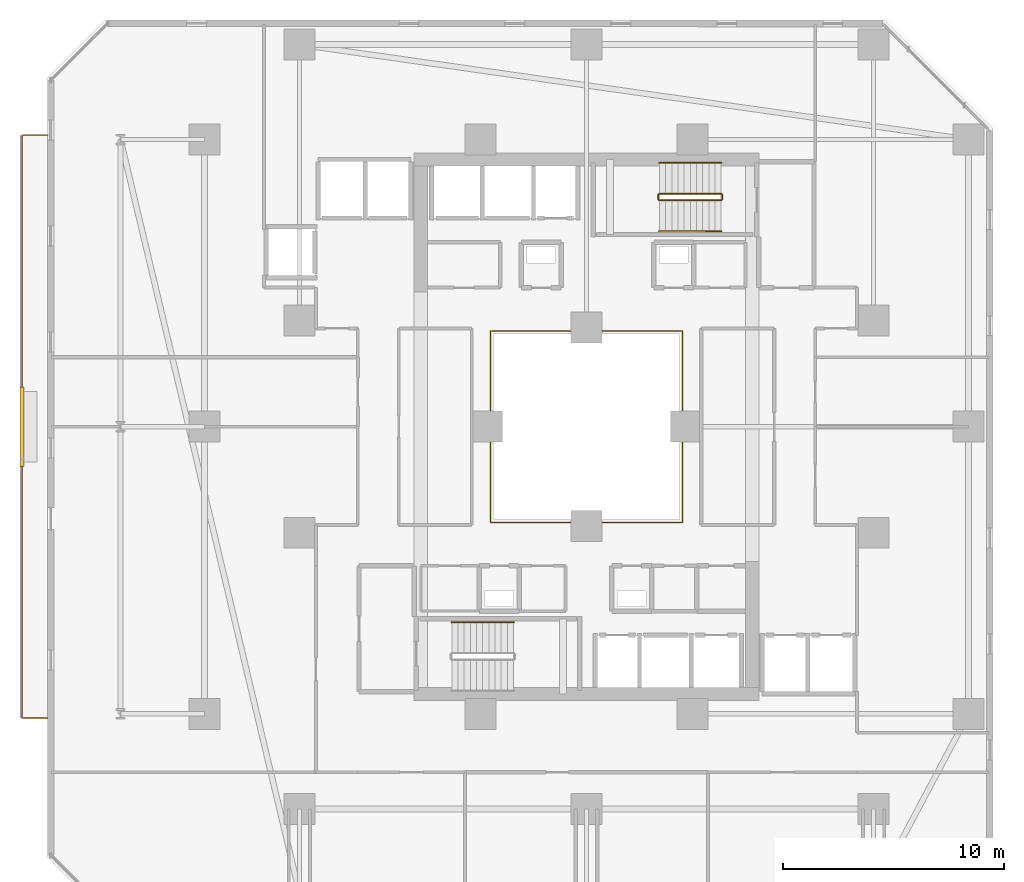
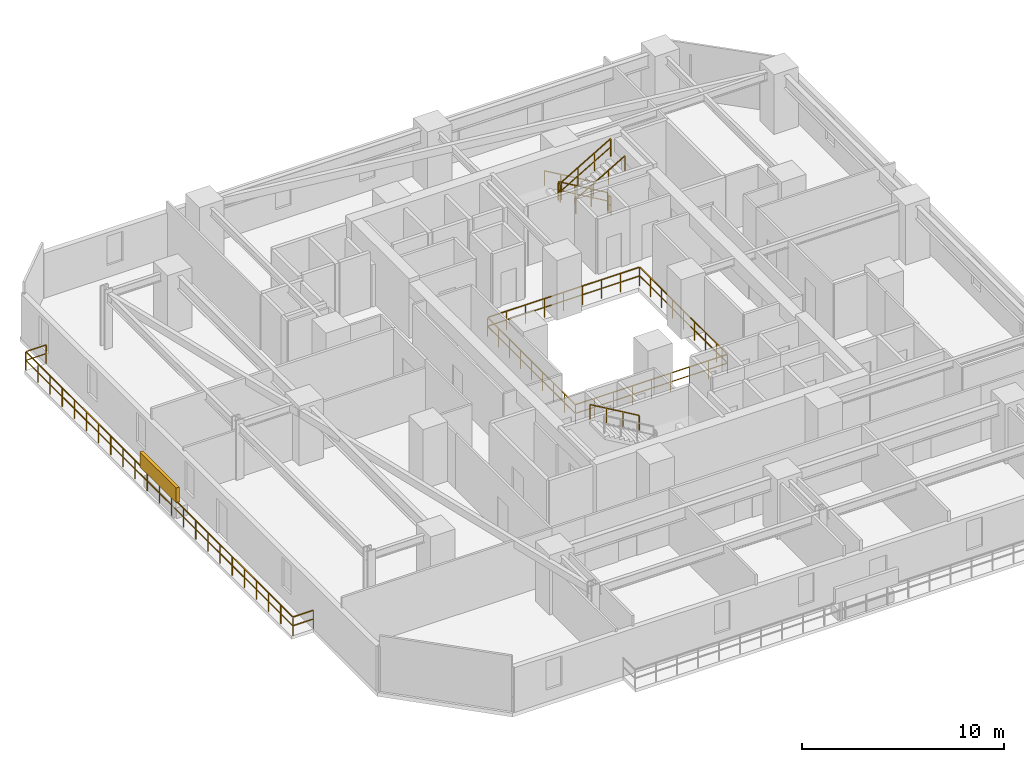
# One storey, part 30 of 33: 9 railings, 1 shading device.
"""IFC4 building model written with IfcOpenShell, lengths in metres."""

from ifc_helpers import new_model, si_unit, direction, frame, origin, origin_2d, place, context, subcontext, project, spatial, rectangle, extrude, material, type_object, element, save


model = new_model("IFC4")

# Units and contexts
model_context = context("Model", 3, precision=1e-05, world=origin(), true_north=direction((0.0, 1.0)))
body_context = subcontext(model_context, "Body", "Model", "MODEL_VIEW")
ifc_project = project(units=[si_unit("LENGTHUNIT", "METRE"), si_unit("AREAUNIT", "SQUARE_METRE"), si_unit("VOLUMEUNIT", "CUBIC_METRE"), si_unit("PLANEANGLEUNIT", "RADIAN"), si_unit("MASSUNIT", "GRAM", prefix="KILO")], contexts=[model_context])

# Site, building, storey
site_placement = place(None, origin())
site = spatial("IfcSite", under=ifc_project, at=site_placement, CompositionType="ELEMENT")
building_placement = place(site_placement, origin())
building = spatial("IfcBuilding", under=site, at=building_placement, Name="Thornwick Lancets Civic Towers", CompositionType="ELEMENT")
storey_placement = place(building_placement, frame((0.0, 0.0, 42.300048828125)))
storey = spatial("IfcBuildingStorey", under=building, at=storey_placement, Name="L10", CompositionType="ELEMENT", Elevation=42.300048828125)

# Railings
ifc_material_1 = material(Name="Laminated glass and bronze steel S355", Category="steel")
railing_type_1 = type_object("IfcRailingType", Name="RAIL_ATRIUM_GUARD", PredefinedType="BALUSTRADE", material=ifc_material_1)
railing_1_placement = place(storey_placement, frame((21.159912109375, 22.659912109375, 0.0)))
element("IfcRailing", 1, at=railing_1_placement, inside=storey, type_object=railing_type_1, Name="L10 Tower A Central Atrium Guard Balustrade", PredefinedType="BALUSTRADE", context=body_context, shape_type="SweptSolid", body=[
    extrude(rectangle(XDim=0.048095703125, YDim=0.048095703125, at=origin_2d()), frame((0.0, 0.0, 1.1259765625), z_axis=(1.0, 0.0, 0.0), x_axis=(0.0, 1.0, 0.0)), (0.0, 0.0, 1.0), 8.64892578125),
    extrude(rectangle(XDim=0.0419921875, YDim=0.0419921875, at=origin_2d()), frame((0.03759765625, 0.0, 0.597900390625), z_axis=(1.0, 0.0, 0.0), x_axis=(0.0, 1.0, 0.0)), (0.0, 0.0, 1.0), 1.010009765625),
    extrude(rectangle(XDim=0.0419921875, YDim=0.0419921875, at=origin_2d()), frame((1.12255859375, 0.0, 0.597900390625), z_axis=(1.0, 0.0, 0.0), x_axis=(0.0, 1.0, 0.0)), (0.0, 0.0, 1.0), 1.010009765625),
    extrude(rectangle(XDim=0.0419921875, YDim=0.0419921875, at=origin_2d()), frame((2.20751953125, 0.0, 0.597900390625), z_axis=(1.0, 0.0, 0.0), x_axis=(0.0, 1.0, 0.0)), (0.0, 0.0, 1.0), 1.010009765625),
    extrude(rectangle(XDim=0.0419921875, YDim=0.0419921875, at=origin_2d()), frame((3.29248046875, 0.0, 0.597900390625), z_axis=(1.0, 0.0, 0.0), x_axis=(0.0, 1.0, 0.0)), (0.0, 0.0, 1.0), 1.010009765625),
    extrude(rectangle(XDim=0.0419921875, YDim=0.0419921875, at=origin_2d()), frame((4.377685546875, 0.0, 0.597900390625), z_axis=(1.0, 0.0, 0.0), x_axis=(0.0, 1.0, 0.0)), (0.0, 0.0, 1.0), 1.010009765625),
    extrude(rectangle(XDim=0.0419921875, YDim=0.0419921875, at=origin_2d()), frame((5.462646484375, 0.0, 0.597900390625), z_axis=(1.0, 0.0, 0.0), x_axis=(0.0, 1.0, 0.0)), (0.0, 0.0, 1.0), 1.010009765625),
    extrude(rectangle(XDim=0.0419921875, YDim=0.0419921875, at=origin_2d()), frame((6.547607421875, 0.0, 0.597900390625), z_axis=(1.0, 0.0, 0.0), x_axis=(0.0, 1.0, 0.0)), (0.0, 0.0, 1.0), 1.010009765625),
    extrude(rectangle(XDim=0.0419921875, YDim=0.0419921875, at=origin_2d()), frame((7.632568359375, 0.0, 0.597900390625), z_axis=(1.0, 0.0, 0.0), x_axis=(0.0, 1.0, 0.0)), (0.0, 0.0, 1.0), 1.010009765625),
    extrude(rectangle(XDim=0.048095703125, YDim=0.048095703125, at=origin_2d()), frame((8.68017578125, 0.03125, 1.1259765625), z_axis=(0.0, 1.0, 0.0), x_axis=(-1.0, 0.0, 0.0)), (0.0, 0.0, 1.0), 8.61767578125),
    extrude(rectangle(XDim=0.0419921875, YDim=0.0419921875, at=origin_2d()), frame((8.68017578125, 0.03759765625, 0.597900390625), z_axis=(0.0, 1.0, 0.0), x_axis=(-1.0, 0.0, 0.0)), (0.0, 0.0, 1.0), 1.010009765625),
    extrude(rectangle(XDim=0.0419921875, YDim=0.0419921875, at=origin_2d()), frame((8.68017578125, 1.12255859375, 0.597900390625), z_axis=(0.0, 1.0, 0.0), x_axis=(-1.0, 0.0, 0.0)), (0.0, 0.0, 1.0), 1.010009765625),
    extrude(rectangle(XDim=0.0419921875, YDim=0.0419921875, at=origin_2d()), frame((8.68017578125, 2.20751953125, 0.597900390625), z_axis=(0.0, 1.0, 0.0), x_axis=(-1.0, 0.0, 0.0)), (0.0, 0.0, 1.0), 1.010009765625),
    extrude(rectangle(XDim=0.0419921875, YDim=0.0419921875, at=origin_2d()), frame((8.68017578125, 3.29248046875, 0.597900390625), z_axis=(0.0, 1.0, 0.0), x_axis=(-1.0, 0.0, 0.0)), (0.0, 0.0, 1.0), 1.010009765625),
    extrude(rectangle(XDim=0.0419921875, YDim=0.0419921875, at=origin_2d()), frame((8.68017578125, 4.377685546875, 0.597900390625), z_axis=(0.0, 1.0, 0.0), x_axis=(-1.0, 0.0, 0.0)), (0.0, 0.0, 1.0), 1.010009765625),
    extrude(rectangle(XDim=0.0419921875, YDim=0.0419921875, at=origin_2d()), frame((8.68017578125, 5.462646484375, 0.597900390625), z_axis=(0.0, 1.0, 0.0), x_axis=(-1.0, 0.0, 0.0)), (0.0, 0.0, 1.0), 1.010009765625),
    extrude(rectangle(XDim=0.0419921875, YDim=0.0419921875, at=origin_2d()), frame((8.68017578125, 6.547607421875, 0.597900390625), z_axis=(0.0, 1.0, 0.0), x_axis=(-1.0, 0.0, 0.0)), (0.0, 0.0, 1.0), 1.010009765625),
    extrude(rectangle(XDim=0.0419921875, YDim=0.0419921875, at=origin_2d()), frame((8.68017578125, 7.632568359375, 0.597900390625), z_axis=(0.0, 1.0, 0.0), x_axis=(-1.0, 0.0, 0.0)), (0.0, 0.0, 1.0), 1.010009765625),
    extrude(rectangle(XDim=0.048095703125, YDim=0.048095703125, at=origin_2d()), frame((8.64892578125, 8.68017578125, 1.1259765625), z_axis=(-1.0, 0.0, 0.0), x_axis=(0.0, -1.0, 0.0)), (0.0, 0.0, 1.0), 8.61767578125),
    extrude(rectangle(XDim=0.0419921875, YDim=0.0419921875, at=origin_2d()), frame((8.642578125, 8.68017578125, 0.597900390625), z_axis=(-1.0, 0.0, 0.0), x_axis=(0.0, -1.0, 0.0)), (0.0, 0.0, 1.0), 1.010009765625),
    extrude(rectangle(XDim=0.0419921875, YDim=0.0419921875, at=origin_2d()), frame((7.5576171875, 8.68017578125, 0.597900390625), z_axis=(-1.0, 0.0, 0.0), x_axis=(0.0, -1.0, 0.0)), (0.0, 0.0, 1.0), 1.010009765625),
    extrude(rectangle(XDim=0.0419921875, YDim=0.0419921875, at=origin_2d()), frame((6.47265625, 8.68017578125, 0.597900390625), z_axis=(-1.0, 0.0, 0.0), x_axis=(0.0, -1.0, 0.0)), (0.0, 0.0, 1.0), 1.010009765625),
    extrude(rectangle(XDim=0.0419921875, YDim=0.0419921875, at=origin_2d()), frame((5.3876953125, 8.68017578125, 0.597900390625), z_axis=(-1.0, 0.0, 0.0), x_axis=(0.0, -1.0, 0.0)), (0.0, 0.0, 1.0), 1.010009765625),
    extrude(rectangle(XDim=0.0419921875, YDim=0.0419921875, at=origin_2d()), frame((4.302490234375, 8.68017578125, 0.597900390625), z_axis=(-1.0, 0.0, 0.0), x_axis=(0.0, -1.0, 0.0)), (0.0, 0.0, 1.0), 1.010009765625),
    extrude(rectangle(XDim=0.0419921875, YDim=0.0419921875, at=origin_2d()), frame((3.217529296875, 8.68017578125, 0.597900390625), z_axis=(-1.0, 0.0, 0.0), x_axis=(0.0, -1.0, 0.0)), (0.0, 0.0, 1.0), 1.010009765625),
    extrude(rectangle(XDim=0.0419921875, YDim=0.0419921875, at=origin_2d()), frame((2.132568359375, 8.68017578125, 0.597900390625), z_axis=(-1.0, 0.0, 0.0), x_axis=(0.0, -1.0, 0.0)), (0.0, 0.0, 1.0), 1.010009765625),
    extrude(rectangle(XDim=0.0419921875, YDim=0.0419921875, at=origin_2d()), frame((1.047607421875, 8.68017578125, 0.597900390625), z_axis=(-1.0, 0.0, 0.0), x_axis=(0.0, -1.0, 0.0)), (0.0, 0.0, 1.0), 1.010009765625),
    extrude(rectangle(XDim=0.048095703125, YDim=0.048095703125, at=origin_2d()), frame((0.0, 8.64892578125, 1.1259765625), z_axis=(0.0, -1.0, 0.0), x_axis=(1.0, 0.0, 0.0)), (0.0, 0.0, 1.0), 8.64892578125),
    extrude(rectangle(XDim=0.0419921875, YDim=0.0419921875, at=origin_2d()), frame((0.0, 8.642578125, 0.597900390625), z_axis=(0.0, -1.0, 0.0), x_axis=(1.0, 0.0, 0.0)), (0.0, 0.0, 1.0), 1.010009765625),
    extrude(rectangle(XDim=0.0419921875, YDim=0.0419921875, at=origin_2d()), frame((0.0, 7.5576171875, 0.597900390625), z_axis=(0.0, -1.0, 0.0), x_axis=(1.0, 0.0, 0.0)), (0.0, 0.0, 1.0), 1.010009765625),
    extrude(rectangle(XDim=0.0419921875, YDim=0.0419921875, at=origin_2d()), frame((0.0, 6.47265625, 0.597900390625), z_axis=(0.0, -1.0, 0.0), x_axis=(1.0, 0.0, 0.0)), (0.0, 0.0, 1.0), 1.010009765625),
    extrude(rectangle(XDim=0.0419921875, YDim=0.0419921875, at=origin_2d()), frame((0.0, 5.3876953125, 0.597900390625), z_axis=(0.0, -1.0, 0.0), x_axis=(1.0, 0.0, 0.0)), (0.0, 0.0, 1.0), 1.010009765625),
    extrude(rectangle(XDim=0.0419921875, YDim=0.0419921875, at=origin_2d()), frame((0.0, 4.302490234375, 0.597900390625), z_axis=(0.0, -1.0, 0.0), x_axis=(1.0, 0.0, 0.0)), (0.0, 0.0, 1.0), 1.010009765625),
    extrude(rectangle(XDim=0.0419921875, YDim=0.0419921875, at=origin_2d()), frame((0.0, 3.217529296875, 0.597900390625), z_axis=(0.0, -1.0, 0.0), x_axis=(1.0, 0.0, 0.0)), (0.0, 0.0, 1.0), 1.010009765625),
    extrude(rectangle(XDim=0.0419921875, YDim=0.0419921875, at=origin_2d()), frame((0.0, 2.132568359375, 0.597900390625), z_axis=(0.0, -1.0, 0.0), x_axis=(1.0, 0.0, 0.0)), (0.0, 0.0, 1.0), 1.010009765625),
    extrude(rectangle(XDim=0.0419921875, YDim=0.0419921875, at=origin_2d()), frame((0.0, 1.047607421875, 0.597900390625), z_axis=(0.0, -1.0, 0.0), x_axis=(1.0, 0.0, 0.0)), (0.0, 0.0, 1.0), 1.010009765625),
    extrude(rectangle(XDim=0.0419921875, YDim=0.0419921875, at=origin_2d()), origin(), (0.0, 0.0, 1.0), 1.095703125),
    extrude(rectangle(XDim=0.0419921875, YDim=0.0419921875, at=origin_2d()), frame((1.0849609375, 0.0, 0.0)), (0.0, 0.0, 1.0), 1.095703125),
    extrude(rectangle(XDim=0.0419921875, YDim=0.0419921875, at=origin_2d()), frame((2.169921875, 0.0, 0.0)), (0.0, 0.0, 1.0), 1.095703125),
    extrude(rectangle(XDim=0.0419921875, YDim=0.0419921875, at=origin_2d()), frame((3.255126953125, 0.0, 0.0)), (0.0, 0.0, 1.0), 1.095703125),
    extrude(rectangle(XDim=0.0419921875, YDim=0.0419921875, at=origin_2d()), frame((4.340087890625, 0.0, 0.0)), (0.0, 0.0, 1.0), 1.095703125),
    extrude(rectangle(XDim=0.0419921875, YDim=0.0419921875, at=origin_2d()), frame((5.425048828125, 0.0, 0.0)), (0.0, 0.0, 1.0), 1.095703125),
    extrude(rectangle(XDim=0.0419921875, YDim=0.0419921875, at=origin_2d()), frame((6.51025390625, 0.0, 0.0)), (0.0, 0.0, 1.0), 1.095703125),
    extrude(rectangle(XDim=0.0419921875, YDim=0.0419921875, at=origin_2d()), frame((7.59521484375, 0.0, 0.0)), (0.0, 0.0, 1.0), 1.095703125),
    extrude(rectangle(XDim=0.0419921875, YDim=0.0419921875, at=origin_2d()), frame((8.68017578125, 0.0, 0.0)), (0.0, 0.0, 1.0), 1.095703125),
    extrude(rectangle(XDim=0.0419921875, YDim=0.0419921875, at=origin_2d()), frame((8.68017578125, 1.0849609375, 0.0)), (0.0, 0.0, 1.0), 1.095703125),
    extrude(rectangle(XDim=0.0419921875, YDim=0.0419921875, at=origin_2d()), frame((8.68017578125, 2.169921875, 0.0)), (0.0, 0.0, 1.0), 1.095703125),
    extrude(rectangle(XDim=0.0419921875, YDim=0.0419921875, at=origin_2d()), frame((8.68017578125, 3.255126953125, 0.0)), (0.0, 0.0, 1.0), 1.095703125),
    extrude(rectangle(XDim=0.0419921875, YDim=0.0419921875, at=origin_2d()), frame((8.68017578125, 4.340087890625, 0.0)), (0.0, 0.0, 1.0), 1.095703125),
    extrude(rectangle(XDim=0.0419921875, YDim=0.0419921875, at=origin_2d()), frame((8.68017578125, 5.425048828125, 0.0)), (0.0, 0.0, 1.0), 1.095703125),
    extrude(rectangle(XDim=0.0419921875, YDim=0.0419921875, at=origin_2d()), frame((8.68017578125, 6.51025390625, 0.0)), (0.0, 0.0, 1.0), 1.095703125),
    extrude(rectangle(XDim=0.0419921875, YDim=0.0419921875, at=origin_2d()), frame((8.68017578125, 7.59521484375, 0.0)), (0.0, 0.0, 1.0), 1.095703125),
    extrude(rectangle(XDim=0.0419921875, YDim=0.0419921875, at=origin_2d()), frame((8.68017578125, 8.68017578125, 0.0)), (0.0, 0.0, 1.0), 1.095703125),
    extrude(rectangle(XDim=0.0419921875, YDim=0.0419921875, at=origin_2d()), frame((7.59521484375, 8.68017578125, 0.0)), (0.0, 0.0, 1.0), 1.095703125),
    extrude(rectangle(XDim=0.0419921875, YDim=0.0419921875, at=origin_2d()), frame((6.51025390625, 8.68017578125, 0.0)), (0.0, 0.0, 1.0), 1.095703125),
    extrude(rectangle(XDim=0.0419921875, YDim=0.0419921875, at=origin_2d()), frame((5.425048828125, 8.68017578125, 0.0)), (0.0, 0.0, 1.0), 1.095703125),
    extrude(rectangle(XDim=0.0419921875, YDim=0.0419921875, at=origin_2d()), frame((4.340087890625, 8.68017578125, 0.0)), (0.0, 0.0, 1.0), 1.095703125),
    extrude(rectangle(XDim=0.0419921875, YDim=0.0419921875, at=origin_2d()), frame((3.255126953125, 8.68017578125, 0.0)), (0.0, 0.0, 1.0), 1.095703125),
    extrude(rectangle(XDim=0.0419921875, YDim=0.0419921875, at=origin_2d()), frame((2.169921875, 8.68017578125, 0.0)), (0.0, 0.0, 1.0), 1.095703125),
    extrude(rectangle(XDim=0.0419921875, YDim=0.0419921875, at=origin_2d()), frame((1.0849609375, 8.68017578125, 0.0)), (0.0, 0.0, 1.0), 1.095703125),
    extrude(rectangle(XDim=0.0419921875, YDim=0.0419921875, at=origin_2d()), frame((0.0, 8.68017578125, 0.0)), (0.0, 0.0, 1.0), 1.095703125),
    extrude(rectangle(XDim=0.0419921875, YDim=0.0419921875, at=origin_2d()), frame((0.0, 7.59521484375, 0.0)), (0.0, 0.0, 1.0), 1.095703125),
    extrude(rectangle(XDim=0.0419921875, YDim=0.0419921875, at=origin_2d()), frame((0.0, 6.51025390625, 0.0)), (0.0, 0.0, 1.0), 1.095703125),
    extrude(rectangle(XDim=0.0419921875, YDim=0.0419921875, at=origin_2d()), frame((0.0, 5.425048828125, 0.0)), (0.0, 0.0, 1.0), 1.095703125),
    extrude(rectangle(XDim=0.0419921875, YDim=0.0419921875, at=origin_2d()), frame((0.0, 4.340087890625, 0.0)), (0.0, 0.0, 1.0), 1.095703125),
    extrude(rectangle(XDim=0.0419921875, YDim=0.0419921875, at=origin_2d()), frame((0.0, 3.255126953125, 0.0)), (0.0, 0.0, 1.0), 1.095703125),
    extrude(rectangle(XDim=0.0419921875, YDim=0.0419921875, at=origin_2d()), frame((0.0, 2.169921875, 0.0)), (0.0, 0.0, 1.0), 1.095703125),
    extrude(rectangle(XDim=0.0419921875, YDim=0.0419921875, at=origin_2d()), frame((0.0, 1.0849609375, 0.0)), (0.0, 0.0, 1.0), 1.095703125),
])
ifc_material_2 = material(Name="Brushed stainless steel S355", Category="steel")
railing_type_2 = type_object("IfcRailingType", Name="RAIL_HANDRAIL", PredefinedType="HANDRAIL", material=ifc_material_2)
railing_2_placement = place(storey_placement, frame((22.199951171875, 18.14990234375, 1.963623046875)))
element("IfcRailing", 2, at=railing_2_placement, inside=storey, type_object=railing_type_2, Name="L10 ST-A1 stair handrail 2", PredefinedType="HANDRAIL", context=body_context, shape_type="SweptSolid", body=[
    extrude(rectangle(XDim=0.048095703125, YDim=0.048095703125, at=origin_2d()), frame((0.0, 0.0, 0.8857421875), z_axis=(-0.863393664356, 0.0, 0.504530851732), x_axis=(0.0, -1.0, 0.0)), (0.0, 0.0, 1.0), 3.2431640625),
    extrude(rectangle(XDim=0.0419921875, YDim=0.0419921875, at=origin_2d()), origin(), (0.0, 0.0, 1.0), 0.855712890625),
    extrude(rectangle(XDim=0.0419921875, YDim=0.0419921875, at=origin_2d()), frame((-0.933349609375, 0.0, 0.54541015625)), (0.0, 0.0, 1.0), 0.855712890625),
    extrude(rectangle(XDim=0.0419921875, YDim=0.0419921875, at=origin_2d()), frame((-1.86669921875, 0.0, 1.0908203125)), (0.0, 0.0, 1.0), 0.855712890625),
    extrude(rectangle(XDim=0.0419921875, YDim=0.0419921875, at=origin_2d()), frame((-2.800048828125, 0.0, 1.63623046875)), (0.0, 0.0, 1.0), 0.855712890625),
])
railing_3_placement = place(storey_placement, frame((31.60009765625, 38.949951171875, 0.16357421875)))
element("IfcRailing", 3, at=railing_3_placement, inside=storey, type_object=railing_type_2, Name="L10 ST-A2 stair handrail 1", PredefinedType="HANDRAIL", context=body_context, shape_type="SweptSolid", body=[
    extrude(rectangle(XDim=0.048095703125, YDim=0.048095703125, at=origin_2d()), frame((0.0, 0.0, 0.8857421875), z_axis=(-0.863360870873, 0.0, 0.504586966384), x_axis=(0.0, -1.0, 0.0)), (0.0, 0.0, 1.0), 3.2431640625),
    extrude(rectangle(XDim=0.0419921875, YDim=0.0419921875, at=origin_2d()), origin(), (0.0, 0.0, 1.0), 0.855712890625),
    extrude(rectangle(XDim=0.0419921875, YDim=0.0419921875, at=origin_2d()), frame((-0.933349609375, 0.0, 0.54541015625)), (0.0, 0.0, 1.0), 0.855712890625),
    extrude(rectangle(XDim=0.0419921875, YDim=0.0419921875, at=origin_2d()), frame((-1.86669921875, 0.0, 1.091064453125)), (0.0, 0.0, 1.0), 0.855712890625),
    extrude(rectangle(XDim=0.0419921875, YDim=0.0419921875, at=origin_2d()), frame((-2.800048828125, 0.0, 1.636474609375)), (0.0, 0.0, 1.0), 0.855712890625),
])
railing_4_placement = place(storey_placement, frame((28.800048828125, 35.85009765625, 1.963623046875)))
element("IfcRailing", 4, at=railing_4_placement, inside=storey, type_object=railing_type_2, Name="L10 ST-A2 stair handrail 2", PredefinedType="HANDRAIL", context=body_context, shape_type="SweptSolid", body=[
    extrude(rectangle(XDim=0.048095703125, YDim=0.048095703125, at=origin_2d()), frame((0.0, 0.0, 0.8857421875), z_axis=(0.863393664356, 0.0, 0.504530851732), x_axis=(0.0, 1.0, 0.0)), (0.0, 0.0, 1.0), 3.2431640625),
    extrude(rectangle(XDim=0.0419921875, YDim=0.0419921875, at=origin_2d()), origin(), (0.0, 0.0, 1.0), 0.855712890625),
    extrude(rectangle(XDim=0.0419921875, YDim=0.0419921875, at=origin_2d()), frame((0.933349609375, 0.0, 0.54541015625)), (0.0, 0.0, 1.0), 0.855712890625),
    extrude(rectangle(XDim=0.0419921875, YDim=0.0419921875, at=origin_2d()), frame((1.86669921875, 0.0, 1.0908203125)), (0.0, 0.0, 1.0), 0.855712890625),
    extrude(rectangle(XDim=0.0419921875, YDim=0.0419921875, at=origin_2d()), frame((2.800048828125, 0.0, 1.63623046875)), (0.0, 0.0, 1.0), 0.855712890625),
])
ifc_material_3 = material(Name="Steel S355JR", Category="steel")
railing_type_3 = type_object("IfcRailingType", Name="RAIL_STAIR_GUARD", PredefinedType="GUARDRAIL", material=ifc_material_3)
railing_5_placement = place(storey_placement, frame((31.60009765625, 37.550048828125, 0.16357421875)))
element("IfcRailing", 5, at=railing_5_placement, inside=storey, type_object=railing_type_3, Name="L10 ST-A2 stair guard 1", PredefinedType="GUARDRAIL", context=body_context, shape_type="SweptSolid", body=[
    extrude(rectangle(XDim=0.048095703125, YDim=0.048095703125, at=origin_2d()), frame((0.0, 0.0, 1.076171875), z_axis=(-0.863360870873, 0.0, 0.504586966384), x_axis=(0.0, -1.0, 0.0)), (0.0, 0.0, 1.0), 3.2431640625),
    extrude(rectangle(XDim=0.0419921875, YDim=0.0419921875, at=origin_2d()), frame((-0.032470703125, 0.0, 0.591064453125), z_axis=(-0.863360870873, 0.0, 0.504586966384), x_axis=(0.0, -1.0, 0.0)), (0.0, 0.0, 1.0), 1.006103515625),
    extrude(rectangle(XDim=0.0419921875, YDim=0.0419921875, at=origin_2d()), frame((-0.9658203125, 0.0, 1.136474609375), z_axis=(-0.863360870873, 0.0, 0.504586966384), x_axis=(0.0, -1.0, 0.0)), (0.0, 0.0, 1.0), 1.006103515625),
    extrude(rectangle(XDim=0.0419921875, YDim=0.0419921875, at=origin_2d()), frame((-1.899169921875, 0.0, 1.681884765625), z_axis=(-0.863360870873, 0.0, 0.504586966384), x_axis=(0.0, -1.0, 0.0)), (0.0, 0.0, 1.0), 1.006103515625),
    extrude(rectangle(XDim=0.0419921875, YDim=0.0419921875, at=origin_2d()), origin(), (0.0, 0.0, 1.0), 1.0458984375),
    extrude(rectangle(XDim=0.0419921875, YDim=0.0419921875, at=origin_2d()), frame((-0.933349609375, 0.0, 0.54541015625)), (0.0, 0.0, 1.0), 1.0458984375),
    extrude(rectangle(XDim=0.0419921875, YDim=0.0419921875, at=origin_2d()), frame((-1.86669921875, 0.0, 1.091064453125)), (0.0, 0.0, 1.0), 1.0458984375),
    extrude(rectangle(XDim=0.0419921875, YDim=0.0419921875, at=origin_2d()), frame((-2.800048828125, 0.0, 1.636474609375)), (0.0, 0.0, 1.0), 1.0458984375),
])
railing_6_placement = place(storey_placement, frame((28.75, 37.5, 1.800048828125)))
element("IfcRailing", 6, at=railing_6_placement, inside=storey, type_object=railing_type_3, Name="L10 ST-A2 stair guard 2", PredefinedType="GUARDRAIL", context=body_context, shape_type="SweptSolid", body=[
    extrude(rectangle(XDim=0.048095703125, YDim=0.048095703125, at=origin_2d()), frame((0.0, 0.0, 1.076171875), z_axis=(0.0, -1.0, 0.0), x_axis=(1.0, 0.0, 0.0)), (0.0, 0.0, 1.0), 0.199951171875),
    extrude(rectangle(XDim=0.0419921875, YDim=0.0419921875, at=origin_2d()), frame((0.0, -0.03759765625, 0.572021484375), z_axis=(0.0, -1.0, 0.0), x_axis=(1.0, 0.0, 0.0)), (0.0, 0.0, 1.0), 0.125),
    extrude(rectangle(XDim=0.0419921875, YDim=0.0419921875, at=origin_2d()), origin(), (0.0, 0.0, 1.0), 1.0458984375),
    extrude(rectangle(XDim=0.0419921875, YDim=0.0419921875, at=origin_2d()), frame((0.0, -0.199951171875, 0.0)), (0.0, 0.0, 1.0), 1.0458984375),
])
railing_7_placement = place(storey_placement, frame((28.800048828125, 37.25, 1.963623046875)))
element("IfcRailing", 7, at=railing_7_placement, inside=storey, type_object=railing_type_3, Name="L10 ST-A2 stair guard 3", PredefinedType="GUARDRAIL", context=body_context, shape_type="SweptSolid", body=[
    extrude(rectangle(XDim=0.048095703125, YDim=0.048095703125, at=origin_2d()), frame((0.0, 0.0, 1.076171875), z_axis=(0.863393664356, 0.0, 0.504530851732), x_axis=(0.0, 1.0, 0.0)), (0.0, 0.0, 1.0), 3.2431640625),
    extrude(rectangle(XDim=0.0419921875, YDim=0.0419921875, at=origin_2d()), frame((0.032470703125, 0.0, 0.591064453125), z_axis=(0.863393664356, 0.0, 0.504530851732), x_axis=(0.0, 1.0, 0.0)), (0.0, 0.0, 1.0), 1.006103515625),
    extrude(rectangle(XDim=0.0419921875, YDim=0.0419921875, at=origin_2d()), frame((0.9658203125, 0.0, 1.136474609375), z_axis=(0.863393664356, 0.0, 0.504530851732), x_axis=(0.0, 1.0, 0.0)), (0.0, 0.0, 1.0), 1.006103515625),
    extrude(rectangle(XDim=0.0419921875, YDim=0.0419921875, at=origin_2d()), frame((1.899169921875, 0.0, 1.681884765625), z_axis=(0.863393664356, 0.0, 0.504530851732), x_axis=(0.0, 1.0, 0.0)), (0.0, 0.0, 1.0), 1.006103515625),
    extrude(rectangle(XDim=0.0419921875, YDim=0.0419921875, at=origin_2d()), origin(), (0.0, 0.0, 1.0), 1.0458984375),
    extrude(rectangle(XDim=0.0419921875, YDim=0.0419921875, at=origin_2d()), frame((0.933349609375, 0.0, 0.54541015625)), (0.0, 0.0, 1.0), 1.0458984375),
    extrude(rectangle(XDim=0.0419921875, YDim=0.0419921875, at=origin_2d()), frame((1.86669921875, 0.0, 1.0908203125)), (0.0, 0.0, 1.0), 1.0458984375),
    extrude(rectangle(XDim=0.0419921875, YDim=0.0419921875, at=origin_2d()), frame((2.800048828125, 0.0, 1.63623046875)), (0.0, 0.0, 1.0), 1.0458984375),
])
railing_8_placement = place(storey_placement, frame((31.64990234375, 37.5, 0.0)))
element("IfcRailing", 8, at=railing_8_placement, inside=storey, type_object=railing_type_3, Name="L10 ST-A2 stair guard 4", PredefinedType="GUARDRAIL", context=body_context, shape_type="SweptSolid", body=[
    extrude(rectangle(XDim=0.048095703125, YDim=0.048095703125, at=origin_2d()), frame((0.0, 0.0, 1.076171875), z_axis=(0.0, -1.0, 0.0), x_axis=(1.0, 0.0, 0.0)), (0.0, 0.0, 1.0), 0.199951171875),
    extrude(rectangle(XDim=0.0419921875, YDim=0.0419921875, at=origin_2d()), frame((0.0, -0.03759765625, 0.572021484375), z_axis=(0.0, -1.0, 0.0), x_axis=(1.0, 0.0, 0.0)), (0.0, 0.0, 1.0), 0.125),
    extrude(rectangle(XDim=0.0419921875, YDim=0.0419921875, at=origin_2d()), origin(), (0.0, 0.0, 1.0), 1.0458984375),
    extrude(rectangle(XDim=0.0419921875, YDim=0.0419921875, at=origin_2d()), frame((0.0, -0.199951171875, 0.0)), (0.0, 0.0, 1.0), 1.0458984375),
])
ifc_material_4 = material(Name="Terracotta-capped laminated glass balustrade S355", Category="masonry")
railing_type_4 = type_object("IfcRailingType", Name="RAIL_TERR_GUARD", PredefinedType="GUARDRAIL", material=ifc_material_4)
railing_9_placement = place(storey_placement, frame((1.10009765625, 13.800048828125, 0.0)))
element("IfcRailing", 9, at=railing_9_placement, inside=storey, type_object=railing_type_4, Name="L10 Tower A Balcony Guard W", PredefinedType="GUARDRAIL", context=body_context, shape_type="SweptSolid", body=[
    extrude(rectangle(XDim=0.048095703125, YDim=0.048095703125, at=origin_2d()), frame((0.0, 0.0, 1.1259765625), z_axis=(-1.0, 0.0, 0.0), x_axis=(0.0, -1.0, 0.0)), (0.0, 0.0, 1.0), 1.138916015625),
    extrude(rectangle(XDim=0.0419921875, YDim=0.0419921875, at=origin_2d()), frame((-0.03759765625, 0.0, 0.597900390625), z_axis=(-1.0, 0.0, 0.0), x_axis=(0.0, -1.0, 0.0)), (0.0, 0.0, 1.0), 1.09521484375),
    extrude(rectangle(XDim=0.048095703125, YDim=0.048095703125, at=origin_2d()), frame((-1.170166015625, 0.03125, 1.1259765625), z_axis=(0.0, 1.0, 0.0), x_axis=(-1.0, 0.0, 0.0)), (0.0, 0.0, 1.0), 26.33740234375),
    extrude(rectangle(XDim=0.0419921875, YDim=0.0419921875, at=origin_2d()), frame((-1.170166015625, 0.03759765625, 0.597900390625), z_axis=(0.0, 1.0, 0.0), x_axis=(-1.0, 0.0, 0.0)), (0.0, 0.0, 1.0), 1.125),
    extrude(rectangle(XDim=0.0419921875, YDim=0.0419921875, at=origin_2d()), frame((-1.170166015625, 1.237548828125, 0.597900390625), z_axis=(0.0, 1.0, 0.0), x_axis=(-1.0, 0.0, 0.0)), (0.0, 0.0, 1.0), 1.125),
    extrude(rectangle(XDim=0.0419921875, YDim=0.0419921875, at=origin_2d()), frame((-1.170166015625, 2.4375, 0.597900390625), z_axis=(0.0, 1.0, 0.0), x_axis=(-1.0, 0.0, 0.0)), (0.0, 0.0, 1.0), 1.125),
    extrude(rectangle(XDim=0.0419921875, YDim=0.0419921875, at=origin_2d()), frame((-1.170166015625, 3.637451171875, 0.597900390625), z_axis=(0.0, 1.0, 0.0), x_axis=(-1.0, 0.0, 0.0)), (0.0, 0.0, 1.0), 1.125),
    extrude(rectangle(XDim=0.0419921875, YDim=0.0419921875, at=origin_2d()), frame((-1.170166015625, 4.83740234375, 0.597900390625), z_axis=(0.0, 1.0, 0.0), x_axis=(-1.0, 0.0, 0.0)), (0.0, 0.0, 1.0), 1.125),
    extrude(rectangle(XDim=0.0419921875, YDim=0.0419921875, at=origin_2d()), frame((-1.170166015625, 6.037353515625, 0.597900390625), z_axis=(0.0, 1.0, 0.0), x_axis=(-1.0, 0.0, 0.0)), (0.0, 0.0, 1.0), 1.125),
    extrude(rectangle(XDim=0.0419921875, YDim=0.0419921875, at=origin_2d()), frame((-1.170166015625, 7.237548828125, 0.597900390625), z_axis=(0.0, 1.0, 0.0), x_axis=(-1.0, 0.0, 0.0)), (0.0, 0.0, 1.0), 1.125),
    extrude(rectangle(XDim=0.0419921875, YDim=0.0419921875, at=origin_2d()), frame((-1.170166015625, 8.4375, 0.597900390625), z_axis=(0.0, 1.0, 0.0), x_axis=(-1.0, 0.0, 0.0)), (0.0, 0.0, 1.0), 1.125),
    extrude(rectangle(XDim=0.0419921875, YDim=0.0419921875, at=origin_2d()), frame((-1.170166015625, 9.637451171875, 0.597900390625), z_axis=(0.0, 1.0, 0.0), x_axis=(-1.0, 0.0, 0.0)), (0.0, 0.0, 1.0), 1.125),
    extrude(rectangle(XDim=0.0419921875, YDim=0.0419921875, at=origin_2d()), frame((-1.170166015625, 10.83740234375, 0.597900390625), z_axis=(0.0, 1.0, 0.0), x_axis=(-1.0, 0.0, 0.0)), (0.0, 0.0, 1.0), 1.125),
    extrude(rectangle(XDim=0.0419921875, YDim=0.0419921875, at=origin_2d()), frame((-1.170166015625, 12.037353515625, 0.597900390625), z_axis=(0.0, 1.0, 0.0), x_axis=(-1.0, 0.0, 0.0)), (0.0, 0.0, 1.0), 1.125),
    extrude(rectangle(XDim=0.0419921875, YDim=0.0419921875, at=origin_2d()), frame((-1.170166015625, 13.237548828125, 0.597900390625), z_axis=(0.0, 1.0, 0.0), x_axis=(-1.0, 0.0, 0.0)), (0.0, 0.0, 1.0), 1.125),
    extrude(rectangle(XDim=0.0419921875, YDim=0.0419921875, at=origin_2d()), frame((-1.170166015625, 14.4375, 0.597900390625), z_axis=(0.0, 1.0, 0.0), x_axis=(-1.0, 0.0, 0.0)), (0.0, 0.0, 1.0), 1.125),
    extrude(rectangle(XDim=0.0419921875, YDim=0.0419921875, at=origin_2d()), frame((-1.170166015625, 15.637451171875, 0.597900390625), z_axis=(0.0, 1.0, 0.0), x_axis=(-1.0, 0.0, 0.0)), (0.0, 0.0, 1.0), 1.125),
    extrude(rectangle(XDim=0.0419921875, YDim=0.0419921875, at=origin_2d()), frame((-1.170166015625, 16.83740234375, 0.597900390625), z_axis=(0.0, 1.0, 0.0), x_axis=(-1.0, 0.0, 0.0)), (0.0, 0.0, 1.0), 1.125),
    extrude(rectangle(XDim=0.0419921875, YDim=0.0419921875, at=origin_2d()), frame((-1.170166015625, 18.037353515625, 0.597900390625), z_axis=(0.0, 1.0, 0.0), x_axis=(-1.0, 0.0, 0.0)), (0.0, 0.0, 1.0), 1.125),
    extrude(rectangle(XDim=0.0419921875, YDim=0.0419921875, at=origin_2d()), frame((-1.170166015625, 19.2373046875, 0.597900390625), z_axis=(0.0, 1.0, 0.0), x_axis=(-1.0, 0.0, 0.0)), (0.0, 0.0, 1.0), 1.125),
    extrude(rectangle(XDim=0.0419921875, YDim=0.0419921875, at=origin_2d()), frame((-1.170166015625, 20.4375, 0.597900390625), z_axis=(0.0, 1.0, 0.0), x_axis=(-1.0, 0.0, 0.0)), (0.0, 0.0, 1.0), 1.125),
    extrude(rectangle(XDim=0.0419921875, YDim=0.0419921875, at=origin_2d()), frame((-1.170166015625, 21.637451171875, 0.597900390625), z_axis=(0.0, 1.0, 0.0), x_axis=(-1.0, 0.0, 0.0)), (0.0, 0.0, 1.0), 1.125),
    extrude(rectangle(XDim=0.0419921875, YDim=0.0419921875, at=origin_2d()), frame((-1.170166015625, 22.83740234375, 0.597900390625), z_axis=(0.0, 1.0, 0.0), x_axis=(-1.0, 0.0, 0.0)), (0.0, 0.0, 1.0), 1.125),
    extrude(rectangle(XDim=0.0419921875, YDim=0.0419921875, at=origin_2d()), frame((-1.170166015625, 24.037353515625, 0.597900390625), z_axis=(0.0, 1.0, 0.0), x_axis=(-1.0, 0.0, 0.0)), (0.0, 0.0, 1.0), 1.125),
    extrude(rectangle(XDim=0.0419921875, YDim=0.0419921875, at=origin_2d()), frame((-1.170166015625, 25.2373046875, 0.597900390625), z_axis=(0.0, 1.0, 0.0), x_axis=(-1.0, 0.0, 0.0)), (0.0, 0.0, 1.0), 1.125),
    extrude(rectangle(XDim=0.048095703125, YDim=0.048095703125, at=origin_2d()), frame((-1.138916015625, 26.39990234375, 1.1259765625), z_axis=(1.0, 0.0, 0.0), x_axis=(0.0, 1.0, 0.0)), (0.0, 0.0, 1.0), 1.138916015625),
    extrude(rectangle(XDim=0.0419921875, YDim=0.0419921875, at=origin_2d()), frame((-1.132568359375, 26.39990234375, 0.597900390625), z_axis=(1.0, 0.0, 0.0), x_axis=(0.0, 1.0, 0.0)), (0.0, 0.0, 1.0), 1.09521484375),
    extrude(rectangle(XDim=0.0419921875, YDim=0.0419921875, at=origin_2d()), origin(), (0.0, 0.0, 1.0), 1.095703125),
    extrude(rectangle(XDim=0.0419921875, YDim=0.0419921875, at=origin_2d()), frame((-1.170166015625, 0.0, 0.0)), (0.0, 0.0, 1.0), 1.095703125),
    extrude(rectangle(XDim=0.0419921875, YDim=0.0419921875, at=origin_2d()), frame((-1.170166015625, 1.199951171875, 0.0)), (0.0, 0.0, 1.0), 1.095703125),
    extrude(rectangle(XDim=0.0419921875, YDim=0.0419921875, at=origin_2d()), frame((-1.170166015625, 2.39990234375, 0.0)), (0.0, 0.0, 1.0), 1.095703125),
    extrude(rectangle(XDim=0.0419921875, YDim=0.0419921875, at=origin_2d()), frame((-1.170166015625, 3.60009765625, 0.0)), (0.0, 0.0, 1.0), 1.095703125),
    extrude(rectangle(XDim=0.0419921875, YDim=0.0419921875, at=origin_2d()), frame((-1.170166015625, 4.800048828125, 0.0)), (0.0, 0.0, 1.0), 1.095703125),
    extrude(rectangle(XDim=0.0419921875, YDim=0.0419921875, at=origin_2d()), frame((-1.170166015625, 6.0, 0.0)), (0.0, 0.0, 1.0), 1.095703125),
    extrude(rectangle(XDim=0.0419921875, YDim=0.0419921875, at=origin_2d()), frame((-1.170166015625, 7.199951171875, 0.0)), (0.0, 0.0, 1.0), 1.095703125),
    extrude(rectangle(XDim=0.0419921875, YDim=0.0419921875, at=origin_2d()), frame((-1.170166015625, 8.39990234375, 0.0)), (0.0, 0.0, 1.0), 1.095703125),
    extrude(rectangle(XDim=0.0419921875, YDim=0.0419921875, at=origin_2d()), frame((-1.170166015625, 9.599853515625, 0.0)), (0.0, 0.0, 1.0), 1.095703125),
    extrude(rectangle(XDim=0.0419921875, YDim=0.0419921875, at=origin_2d()), frame((-1.170166015625, 10.800048828125, 0.0)), (0.0, 0.0, 1.0), 1.095703125),
    extrude(rectangle(XDim=0.0419921875, YDim=0.0419921875, at=origin_2d()), frame((-1.170166015625, 12.0, 0.0)), (0.0, 0.0, 1.0), 1.095703125),
    extrude(rectangle(XDim=0.0419921875, YDim=0.0419921875, at=origin_2d()), frame((-1.170166015625, 13.199951171875, 0.0)), (0.0, 0.0, 1.0), 1.095703125),
    extrude(rectangle(XDim=0.0419921875, YDim=0.0419921875, at=origin_2d()), frame((-1.170166015625, 14.39990234375, 0.0)), (0.0, 0.0, 1.0), 1.095703125),
    extrude(rectangle(XDim=0.0419921875, YDim=0.0419921875, at=origin_2d()), frame((-1.170166015625, 15.599853515625, 0.0)), (0.0, 0.0, 1.0), 1.095703125),
    extrude(rectangle(XDim=0.0419921875, YDim=0.0419921875, at=origin_2d()), frame((-1.170166015625, 16.800048828125, 0.0)), (0.0, 0.0, 1.0), 1.095703125),
    extrude(rectangle(XDim=0.0419921875, YDim=0.0419921875, at=origin_2d()), frame((-1.170166015625, 18.0, 0.0)), (0.0, 0.0, 1.0), 1.095703125),
    extrude(rectangle(XDim=0.0419921875, YDim=0.0419921875, at=origin_2d()), frame((-1.170166015625, 19.199951171875, 0.0)), (0.0, 0.0, 1.0), 1.095703125),
    extrude(rectangle(XDim=0.0419921875, YDim=0.0419921875, at=origin_2d()), frame((-1.170166015625, 20.39990234375, 0.0)), (0.0, 0.0, 1.0), 1.095703125),
    extrude(rectangle(XDim=0.0419921875, YDim=0.0419921875, at=origin_2d()), frame((-1.170166015625, 21.599853515625, 0.0)), (0.0, 0.0, 1.0), 1.095703125),
    extrude(rectangle(XDim=0.0419921875, YDim=0.0419921875, at=origin_2d()), frame((-1.170166015625, 22.7998046875, 0.0)), (0.0, 0.0, 1.0), 1.095703125),
    extrude(rectangle(XDim=0.0419921875, YDim=0.0419921875, at=origin_2d()), frame((-1.170166015625, 24.0, 0.0)), (0.0, 0.0, 1.0), 1.095703125),
    extrude(rectangle(XDim=0.0419921875, YDim=0.0419921875, at=origin_2d()), frame((-1.170166015625, 25.199951171875, 0.0)), (0.0, 0.0, 1.0), 1.095703125),
    extrude(rectangle(XDim=0.0419921875, YDim=0.0419921875, at=origin_2d()), frame((-1.170166015625, 26.39990234375, 0.0)), (0.0, 0.0, 1.0), 1.095703125),
    extrude(rectangle(XDim=0.0419921875, YDim=0.0419921875, at=origin_2d()), frame((0.0, 26.39990234375, 0.0)), (0.0, 0.0, 1.0), 1.095703125),
])

# Shading device
ifc_material_5 = material(Name="Extruded terracotta baguette solar screen", Category="masonry")
shading_device_type = type_object("IfcShadingDeviceType", Name="SHADE_BAGUETTE", PredefinedType="JALOUSIE", material=ifc_material_5)
shading_device_placement = place(storey_placement, frame((-0.06005859375, 27.0, 1.1201171875), z_axis=(0.0, 0.0, 1.0), x_axis=(0.0, 1.0, 0.0)))
element("IfcShadingDevice", 10, at=shading_device_placement, inside=storey, type_object=shading_device_type, Name="L10 Tower A Terracotta Baguette Screen W", PredefinedType="JALOUSIE", context=body_context, shape_type="SweptSolid", body=[
    extrude(rectangle(XDim=3.60009765625, YDim=0.179931640625, at=origin_2d()), origin(), (0.0, 0.0, 1.0), 0.89990234375),
])

save(model, "model.ifc")
